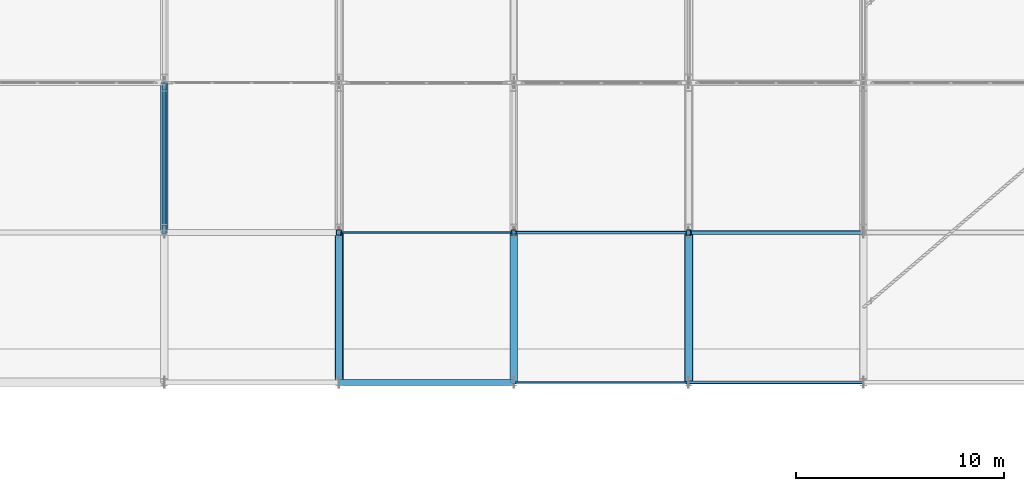
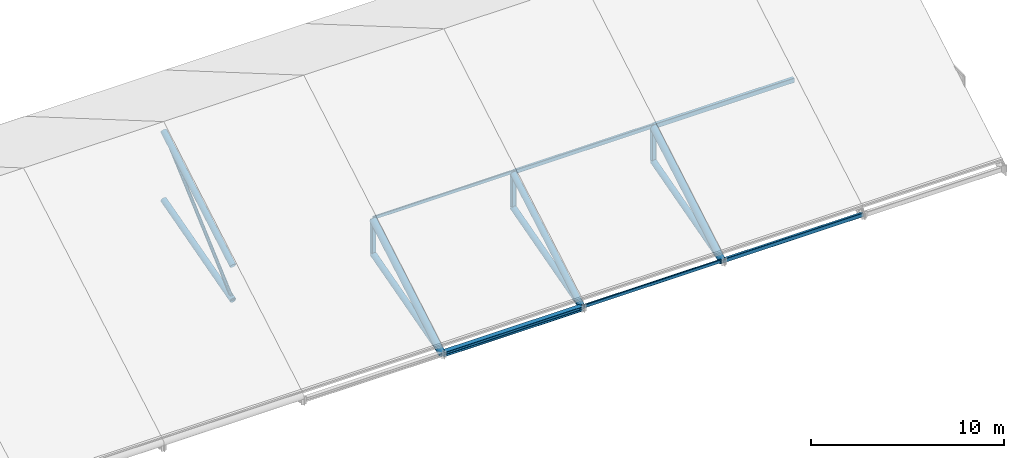
# One storey, part 12 of 54: 18 members.
"""IFC4 building model written with IfcOpenShell, lengths in metres."""

from ifc_helpers import new_model, si_unit, direction, frame, origin, origin_2d, place, context, subcontext, project, spatial, hollow_rectangle, hollow_circle, i_section, extrude, material, material_profile, profile_set, type_object, element, save


model = new_model("IFC4")

# Units and contexts
model_context = context("Model", 3, precision=1e-05, world=origin(), true_north=direction((0.0, 1.0)))
body_context = subcontext(model_context, "Body", "Model", "MODEL_VIEW")
ifc_project = project(units=[si_unit("LENGTHUNIT", "METRE"), si_unit("AREAUNIT", "SQUARE_METRE"), si_unit("VOLUMEUNIT", "CUBIC_METRE"), si_unit("PLANEANGLEUNIT", "RADIAN"), si_unit("MASSUNIT", "GRAM", prefix="KILO")], contexts=[model_context])

# Site, building, storey
site_placement = place(None, origin())
site = spatial("IfcSite", under=ifc_project, at=site_placement, CompositionType="ELEMENT")
building_placement = place(site_placement, origin())
building = spatial("IfcBuilding", under=site, at=building_placement, Name="Zulmaris Art Gallery", CompositionType="ELEMENT")
storey_placement = place(building_placement, frame((0.0, 0.0, 26.39990234375)))
storey = spatial("IfcBuildingStorey", under=building, at=storey_placement, Name="L05", CompositionType="ELEMENT", Elevation=26.39990234375)

# Members
ifc_material_1 = material(Name="Steel S355J2H", Category="steel")
ifc_material_profile_1 = material_profile(ifc_material_1, hollow_rectangle(XDim=0.10009765625, YDim=0.199951171875, WallThickness=0.008056640625, InnerFilletRadius=0.011962890625, OuterFilletRadius=0.02001953125, at=origin_2d()), Name="RHS 200x100x8")
ifc_profile_set_1 = profile_set([ifc_material_profile_1], Name="Steel S355J2H")
member_type_1 = type_object("IfcMemberType", Name="MEM-PR01", PredefinedType="PURLIN", material=ifc_profile_set_1)
member_1_placement = place(storey_placement, frame((49.199951171875, 28.800048828125, 3.72021484375), z_axis=(1.0, 0.0, 0.0), x_axis=(0.0, 1.0, 0.0)))
element("IfcMember", 1, at=member_1_placement, inside=storey, type_object=member_type_1, Name="Skylight roof purlin bay 6 line 2", PredefinedType="PURLIN", context=body_context, shape_type="SweptSolid", body=[
    extrude(hollow_rectangle(XDim=0.10009765625, YDim=0.199951171875, WallThickness=0.008056640625, InnerFilletRadius=0.011962890625, OuterFilletRadius=0.02001953125, at=origin_2d()), origin(), (0.0, 0.0, 1.0), 8.400146484375),
])
member_2_placement = place(storey_placement, frame((57.60009765625, 21.60009765625, -0.47998046875), z_axis=(1.0, 0.0, 0.0), x_axis=(0.0, 1.0, 0.0)))
element("IfcMember", 2, at=member_2_placement, inside=storey, type_object=member_type_1, Name="Skylight roof purlin bay 7 line 1", PredefinedType="PURLIN", context=body_context, shape_type="SweptSolid", body=[
    extrude(hollow_rectangle(XDim=0.10009765625, YDim=0.199951171875, WallThickness=0.008056640625, InnerFilletRadius=0.011962890625, OuterFilletRadius=0.02001953125, at=origin_2d()), origin(), (0.0, 0.0, 1.0), 8.39990234375),
])
ifc_material_profile_2 = material_profile(ifc_material_1, hollow_rectangle(XDim=0.14990234375, YDim=0.25, WallThickness=0.010009765625, InnerFilletRadius=0.014892578125, OuterFilletRadius=0.02490234375, at=origin_2d()), Name="RHS 250x150x10")
ifc_profile_set_2 = profile_set([ifc_material_profile_2], Name="Steel S355J2H")
member_type_2 = type_object("IfcMemberType", Name="MEM-PR02", PredefinedType="PURLIN", material=ifc_profile_set_2)
for number, where, z_axis, x_axis, name in (
    (3, (57.60009765625, 28.800048828125, 3.695068359375), (1.0, 0.0, 0.0), (0.0, 1.0, 0.0), "Skylight roof purlin bay 7 line 2"),
    (4, (66.0, 21.60009765625, -0.5048828125), (1.0, 0.0, 0.0), (0.0, 1.0, 0.0), "Skylight roof purlin bay 8 line 1"),
):
    element("IfcMember", number, at=place(storey_placement, frame(where, z_axis=z_axis, x_axis=x_axis)), inside=storey, type_object=member_type_2, Name=name, PredefinedType="PURLIN", context=body_context, shape_type="SweptSolid", body=[
        extrude(hollow_rectangle(XDim=0.14990234375, YDim=0.25, WallThickness=0.010009765625, InnerFilletRadius=0.014892578125, OuterFilletRadius=0.02490234375, at=origin_2d()), origin(), (0.0, 0.0, 1.0), 8.39990234375),
    ])
ifc_material_profile_3 = material_profile(ifc_material_1, hollow_rectangle(XDim=0.199951171875, YDim=0.300048828125, WallThickness=0.012451171875, InnerFilletRadius=0.018798828125, OuterFilletRadius=0.03125, at=origin_2d()), Name="RHS 300x200x12.5")
ifc_profile_set_3 = profile_set([ifc_material_profile_3], Name="Steel S355J2H")
member_type_3 = type_object("IfcMemberType", Name="MEM-PR03", PredefinedType="PURLIN", material=ifc_profile_set_3)
member_3_placement = place(storey_placement, frame((66.0, 28.800048828125, 3.670166015625), z_axis=(1.0, 0.0, 0.0), x_axis=(0.0, 1.0, 0.0)))
element("IfcMember", 5, at=member_3_placement, inside=storey, type_object=member_type_3, Name="Skylight roof purlin bay 8 line 2", PredefinedType="PURLIN", context=body_context, shape_type="SweptSolid", body=[
    extrude(hollow_rectangle(XDim=0.199951171875, YDim=0.300048828125, WallThickness=0.012451171875, InnerFilletRadius=0.018798828125, OuterFilletRadius=0.03125, at=origin_2d()), origin(), (0.0, 0.0, 1.0), 8.39990234375),
])
ifc_material_2 = material(Name="Steel S355J2", Category="steel")
ifc_material_profile_4 = material_profile(ifc_material_2, i_section(OverallWidth=0.280029296875, OverallDepth=0.280029296875, WebThickness=0.010498046875, FlangeThickness=0.01806640625, FilletRadius=0.02392578125, at=origin_2d()), Name="HEB 280")
ifc_profile_set_4 = profile_set([ifc_material_profile_4], Name="Steel S355J2")
member_type_4 = type_object("IfcMemberType", Name="MEM-PR06", PredefinedType="PURLIN", material=ifc_profile_set_4)
member_4_placement = place(storey_placement, frame((49.199951171875, 21.60009765625, -0.52001953125), z_axis=(1.0, 0.0, 0.0), x_axis=(0.0, 1.0, 0.0)))
element("IfcMember", 6, at=member_4_placement, inside=storey, type_object=member_type_4, Name="Skylight roof purlin bay 6 line 1", PredefinedType="PURLIN", context=body_context, shape_type="SweptSolid", body=[
    extrude(i_section(OverallWidth=0.280029296875, OverallDepth=0.280029296875, WebThickness=0.010498046875, FlangeThickness=0.01806640625, FilletRadius=0.02392578125, at=origin_2d()), origin(), (0.0, 0.0, 1.0), 8.400146484375),
])
ifc_material_profile_5 = material_profile(ifc_material_1, hollow_circle(Radius=0.096923828125, WallThickness=0.010009765625, at=origin_2d()), Name="CHS 193.7x10")
ifc_profile_set_5 = profile_set([ifc_material_profile_5], Name="Steel S355J2H")
member_type_5 = type_object("IfcMemberType", Name="MEM-TB02", PredefinedType="BRACE", material=ifc_profile_set_5)
member_5_placement = place(storey_placement, frame((40.800048828125, 28.800048828125, 1.4501953125), z_axis=(0.0, 0.748961175261, 0.662613883006), x_axis=(-1.0, 0.0, 0.0)))
element("IfcMember", 7, at=member_5_placement, inside=storey, type_object=member_type_5, Name="Pitched gallery truss TR-R05 diagonal 2", PredefinedType="BRACE", context=body_context, shape_type="SweptSolid", body=[
    extrude(hollow_circle(Radius=0.096923828125, WallThickness=0.010009765625, at=origin_2d()), origin(), (0.0, 0.0, 1.0), 9.61328125),
])
ifc_material_profile_6 = material_profile(ifc_material_1, hollow_circle(Radius=0.177734375, WallThickness=0.01611328125, at=origin_2d()), Name="CHS 355.6x16")
ifc_profile_set_6 = profile_set([ifc_material_profile_6], Name="Steel S355J2H")
member_type_6 = type_object("IfcMemberType", Name="MEM-TC01", PredefinedType="CHORD", material=ifc_profile_set_6)
member_6_placement = place(storey_placement, frame((40.800048828125, 28.800048828125, 3.6201171875), z_axis=(0.0, 0.863779963214, 0.503869204407), x_axis=(-1.0, 0.0, 0.0)))
element("IfcMember", 8, at=member_6_placement, inside=storey, type_object=member_type_6, Name="Pitched gallery truss TR-R05 top chord 2", PredefinedType="CHORD", context=body_context, shape_type="SweptSolid", body=[
    extrude(hollow_circle(Radius=0.177734375, WallThickness=0.01611328125, at=origin_2d()), origin(), (0.0, 0.0, 1.0), 8.33544921875),
])
for number, where, z_axis, x_axis, name in (
    (9, (40.800048828125, 28.800048828125, 1.4501953125), (0.0, 0.963517441554, 0.267645548853), (-1.0, 0.0, 0.0), "Pitched gallery truss TR-R05 bottom chord 2"),
    (10, (49.199951171875, 21.60009765625, -0.5498046875), (0.0, 0.963517441554, 0.267645548853), (-1.0, 0.0, 0.0), "Pitched gallery truss TR-R06 bottom chord 1"),
):
    element("IfcMember", number, at=place(storey_placement, frame(where, z_axis=z_axis, x_axis=x_axis)), inside=storey, type_object=member_type_6, Name=name, PredefinedType="CHORD", context=body_context, shape_type="SweptSolid", body=[
        extrude(hollow_circle(Radius=0.177734375, WallThickness=0.01611328125, at=origin_2d()), origin(), (0.0, 0.0, 1.0), 7.47265625),
    ])
member_7_placement = place(storey_placement, frame((57.60009765625, 21.60009765625, -0.579833984375), z_axis=(0.0, 0.863779963214, 0.503869204407), x_axis=(-1.0, 0.0, 0.0)))
element("IfcMember", 11, at=member_7_placement, inside=storey, type_object=member_type_6, Name="Pitched gallery truss TR-R07 top chord 1", PredefinedType="CHORD", context=body_context, shape_type="SweptSolid", body=[
    extrude(hollow_circle(Radius=0.177734375, WallThickness=0.01611328125, at=origin_2d()), origin(), (0.0, 0.0, 1.0), 8.33544921875),
])
for number, where, z_axis, x_axis, name in (
    (12, (57.60009765625, 21.60009765625, -0.5498046875), (0.0, 0.963517441554, 0.267645548853), (-1.0, 0.0, 0.0), "Pitched gallery truss TR-R07 bottom chord 1"),
    (13, (66.0, 21.60009765625, -0.5498046875), (0.0, 0.963517441554, 0.267645548853), (-1.0, 0.0, 0.0), "Pitched gallery truss TR-R08 bottom chord 1"),
):
    element("IfcMember", number, at=place(storey_placement, frame(where, z_axis=z_axis, x_axis=x_axis)), inside=storey, type_object=member_type_6, Name=name, PredefinedType="CHORD", context=body_context, shape_type="SweptSolid", body=[
        extrude(hollow_circle(Radius=0.177734375, WallThickness=0.01611328125, at=origin_2d()), origin(), (0.0, 0.0, 1.0), 7.47265625),
    ])
ifc_material_profile_7 = material_profile(ifc_material_1, hollow_circle(Radius=0.203125, WallThickness=0.01611328125, at=origin_2d()), Name="CHS 406.4x16")
ifc_profile_set_7 = profile_set([ifc_material_profile_7], Name="Steel S355J2H")
member_type_7 = type_object("IfcMemberType", Name="MEM-TC02", PredefinedType="CHORD", material=ifc_profile_set_7)
for number, where, z_axis, x_axis, name in (
    (14, (49.199951171875, 21.60009765625, -0.579833984375), (0.0, 0.863779963214, 0.503869204407), (-1.0, 0.0, 0.0), "Pitched gallery truss TR-R06 top chord 1"),
    (15, (66.0, 21.60009765625, -0.579833984375), (0.0, 0.863779963214, 0.503869204407), (-1.0, 0.0, 0.0), "Pitched gallery truss TR-R08 top chord 1"),
):
    element("IfcMember", number, at=place(storey_placement, frame(where, z_axis=z_axis, x_axis=x_axis)), inside=storey, type_object=member_type_7, Name=name, PredefinedType="CHORD", context=body_context, shape_type="SweptSolid", body=[
        extrude(hollow_circle(Radius=0.203125, WallThickness=0.01611328125, at=origin_2d()), origin(), (0.0, 0.0, 1.0), 8.33544921875),
    ])
ifc_material_profile_8 = material_profile(ifc_material_1, hollow_rectangle(XDim=0.25, YDim=0.25, WallThickness=0.012451171875, InnerFilletRadius=0.018798828125, OuterFilletRadius=0.03125, at=origin_2d()), Name="SHS 250x250x12.5")
ifc_profile_set_8 = profile_set([ifc_material_profile_8], Name="Steel S355J2H")
member_type_8 = type_object("IfcMemberType", Name="MEM-TP05", PredefinedType="POST", material=ifc_profile_set_8)
for number, where, z_axis, x_axis, name in (
    (16, (49.199951171875, 28.800048828125, 1.4501953125), (0.0, 0.0, 1.0), (1.0, 0.0, 0.0), "Pitched gallery truss TR-R06 web post 2"),
    (17, (57.60009765625, 28.800048828125, 1.4501953125), (0.0, 0.0, 1.0), (1.0, 0.0, 0.0), "Pitched gallery truss TR-R07 web post 2"),
    (18, (66.0, 28.800048828125, 1.4501953125), (0.0, 0.0, 1.0), (1.0, 0.0, 0.0), "Pitched gallery truss TR-R08 web post 2"),
):
    element("IfcMember", number, at=place(storey_placement, frame(where, z_axis=z_axis, x_axis=x_axis)), inside=storey, type_object=member_type_8, Name=name, PredefinedType="POST", context=body_context, shape_type="SweptSolid", body=[
        extrude(hollow_rectangle(XDim=0.25, YDim=0.25, WallThickness=0.012451171875, InnerFilletRadius=0.018798828125, OuterFilletRadius=0.03125, at=origin_2d()), origin(), (0.0, 0.0, 1.0), 2.169921875),
    ])

save(model, "model.ifc")
